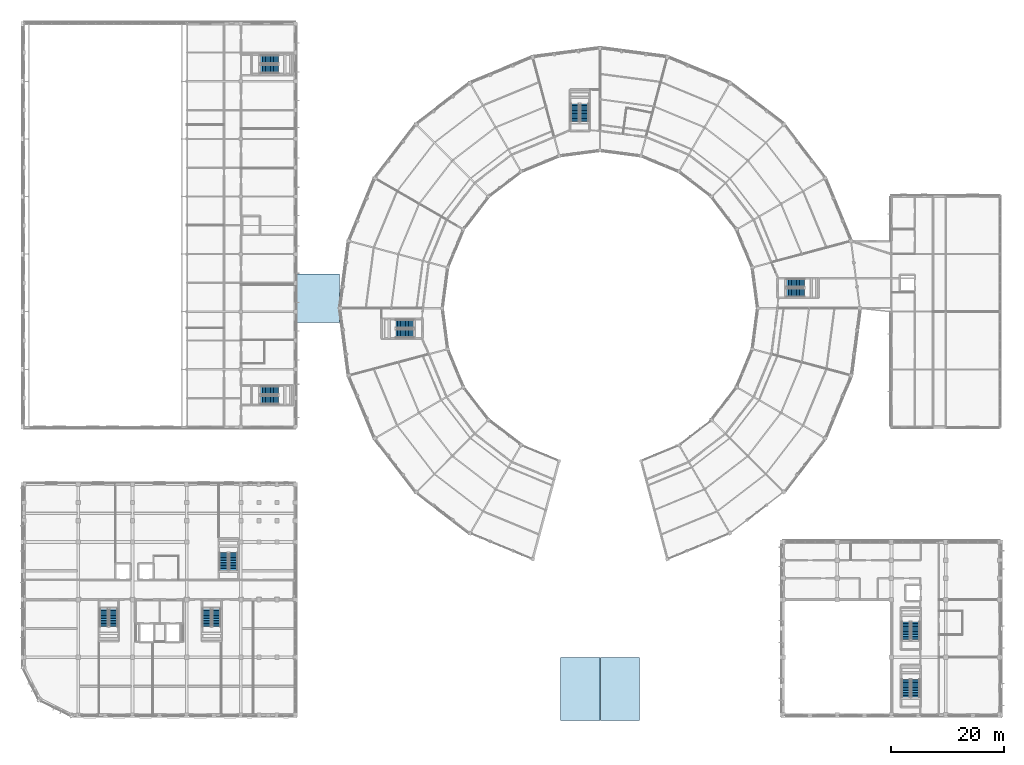
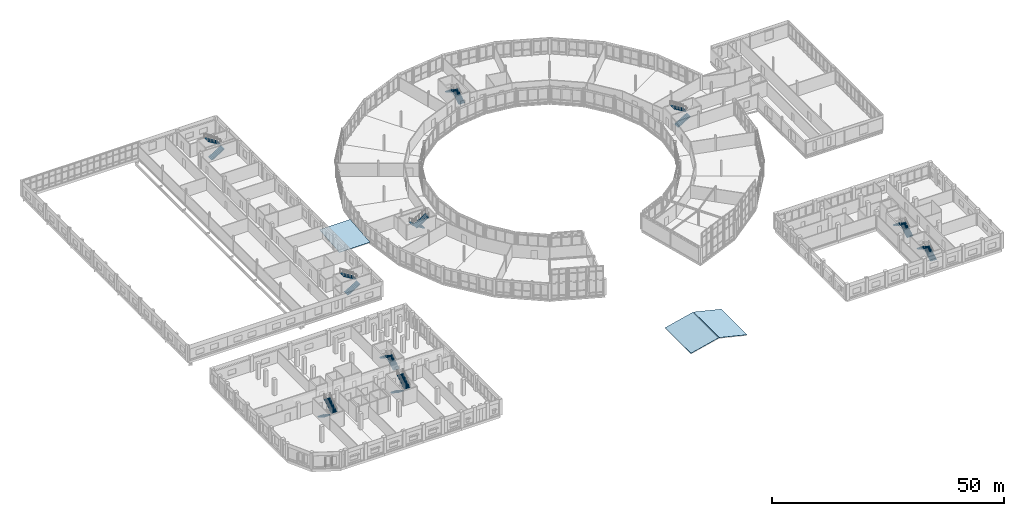
# One storey, part 150 of 170: 20 stair flights, 3 roofs, 10 elements without a shape of their own.
"""IFC4 building model written with IfcOpenShell, lengths in metres."""

from ifc_helpers import new_model, si_unit, direction, frame, origin, place, context, subcontext, project, spatial, polyline, outline, extrude, material, layer, layer_set, type_object, element, aggregate, save


model = new_model("IFC4")

# Units and contexts
model_context = context("Model", 3, precision=1e-05, world=origin(), true_north=direction((0.0, 1.0)))
body_context = subcontext(model_context, "Body", "Model", "MODEL_VIEW")
ifc_project = project(units=[si_unit("LENGTHUNIT", "METRE"), si_unit("AREAUNIT", "SQUARE_METRE"), si_unit("VOLUMEUNIT", "CUBIC_METRE"), si_unit("PLANEANGLEUNIT", "RADIAN"), si_unit("MASSUNIT", "GRAM", prefix="KILO")], contexts=[model_context])

# Site, building, storey
site_placement = place(None, origin())
site = spatial("IfcSite", under=ifc_project, at=site_placement, CompositionType="ELEMENT")
building_placement = place(site_placement, origin())
building = spatial("IfcBuilding", under=site, at=building_placement, Name="Vondelvale Polytechnic", CompositionType="ELEMENT")
storey_placement = place(building_placement, frame((0.0, 0.0, 5.39990234375)))
storey = spatial("IfcBuildingStorey", under=building, at=storey_placement, Name="L01", CompositionType="ELEMENT", Elevation=5.39990234375)

# Stair, stair flights
ifc_material_1 = material(Name="Concrete N40 (f'c = 40 MPa)", Category="concrete")
stair_type = type_object("IfcStairType", Name="STR-DOG-1500", PredefinedType="HALF_TURN_STAIR", material=ifc_material_1)
stair_1_placement = place(storey_placement, origin())
stair_1 = element("IfcStair", 1, at=stair_1_placement, inside=storey, type_object=stair_type, Name="L01 ST-01", PredefinedType="HALF_TURN_STAIR")
stair_flight_type = type_object("IfcStairFlightType", Name="STF-DOG-1500", PredefinedType="STRAIGHT", material=ifc_material_1)
stair_flight_1_placement = place(storey_placement, frame((41.89990234375, 55.75, 0.0), z_axis=(0.0, 0.0, 1.0), x_axis=(1.0, 0.0, 0.0)))
stair_flight_1 = element("IfcStairFlight", 2, at=stair_flight_1_placement, type_object=stair_flight_type, Name="ST-01 flight 1", NumberOfRisers=12, NumberOfTreads=11, PredefinedType="STRAIGHT", RiserHeight=0.175, TreadLength=0.285, context=body_context, shape_type="SweptSolid", body=[
    extrude(outline(polyline([(0.0, 0.0), (0.0, 0.175048828125), (0.284912109375, 0.175048828125), (0.284912109375, 0.35009765625), (0.570068359375, 0.35009765625), (0.570068359375, 0.52490234375), (0.85498046875, 0.52490234375), (0.85498046875, 0.699951171875), (1.139892578125, 0.699951171875), (1.139892578125, 0.875), (1.425048828125, 0.875), (1.425048828125, 1.050048828125), (1.7099609375, 1.050048828125), (1.7099609375, 1.22509765625), (1.9951171875, 1.22509765625), (1.9951171875, 1.39990234375), (2.280029296875, 1.39990234375), (2.280029296875, 1.574951171875), (2.56494140625, 1.574951171875), (2.56494140625, 1.75), (2.85009765625, 1.75), (2.85009765625, 1.925048828125), (3.135009765625, 1.925048828125), (3.135009765625, 2.10009765625), (3.135009765625, 1.7373046875), (0.3056640625, 0.0), (0.0, 0.0)])), frame((0.0, 0.75, 0.0), z_axis=(0.0, -1.0, 0.0), x_axis=(1.0, 0.0, 0.0)), (0.0, 0.0, 1.0), 1.5),
])
stair_flight_2_placement = place(storey_placement, frame((45.034912109375, 57.449951171875, 2.10009765625), z_axis=(0.0, 0.0, 1.0), x_axis=(-1.0, 0.0, 0.0)))
stair_flight_2 = element("IfcStairFlight", 3, at=stair_flight_2_placement, type_object=stair_flight_type, Name="ST-01 flight 2", NumberOfRisers=12, NumberOfTreads=11, PredefinedType="STRAIGHT", RiserHeight=0.175, TreadLength=0.285, context=body_context, shape_type="SweptSolid", body=[
    extrude(outline(polyline([(0.0, 0.0), (0.0, 0.175048828125), (0.284912109375, 0.175048828125), (0.284912109375, 0.35009765625), (0.570068359375, 0.35009765625), (0.570068359375, 0.52490234375), (0.85498046875, 0.52490234375), (0.85498046875, 0.699951171875), (1.139892578125, 0.699951171875), (1.139892578125, 0.875), (1.425048828125, 0.875), (1.425048828125, 1.050048828125), (1.7099609375, 1.050048828125), (1.7099609375, 1.22509765625), (1.9951171875, 1.22509765625), (1.9951171875, 1.39990234375), (2.280029296875, 1.39990234375), (2.280029296875, 1.574951171875), (2.56494140625, 1.574951171875), (2.56494140625, 1.75), (2.85009765625, 1.75), (2.85009765625, 1.925048828125), (3.135009765625, 1.925048828125), (3.135009765625, 2.10009765625), (3.135009765625, 1.7373046875), (0.3056640625, 0.0), (0.0, 0.0)])), frame((0.0, 0.75, 0.0), z_axis=(0.0, -1.0, 0.0), x_axis=(1.0, 0.0, 0.0)), (0.0, 0.0, 1.0), 1.5),
])
aggregate(stair_1, [stair_flight_1, stair_flight_2])

stair_2_placement = place(storey_placement, origin())
stair_2 = element("IfcStair", 4, at=stair_2_placement, inside=storey, type_object=stair_type, Name="L01 ST-02", PredefinedType="HALF_TURN_STAIR")
stair_flight_3_placement = place(storey_placement, frame((41.89990234375, 114.35009765625, 0.0), z_axis=(0.0, 0.0, 1.0), x_axis=(1.0, 0.0, 0.0)))
stair_flight_3 = element("IfcStairFlight", 5, at=stair_flight_3_placement, type_object=stair_flight_type, Name="ST-02 flight 1", NumberOfRisers=12, NumberOfTreads=11, PredefinedType="STRAIGHT", RiserHeight=0.175, TreadLength=0.285, context=body_context, shape_type="SweptSolid", body=[
    extrude(outline(polyline([(0.0, 0.0), (0.0, 0.175048828125), (0.284912109375, 0.175048828125), (0.284912109375, 0.35009765625), (0.570068359375, 0.35009765625), (0.570068359375, 0.52490234375), (0.85498046875, 0.52490234375), (0.85498046875, 0.699951171875), (1.139892578125, 0.699951171875), (1.139892578125, 0.875), (1.425048828125, 0.875), (1.425048828125, 1.050048828125), (1.7099609375, 1.050048828125), (1.7099609375, 1.22509765625), (1.9951171875, 1.22509765625), (1.9951171875, 1.39990234375), (2.280029296875, 1.39990234375), (2.280029296875, 1.574951171875), (2.56494140625, 1.574951171875), (2.56494140625, 1.75), (2.85009765625, 1.75), (2.85009765625, 1.925048828125), (3.135009765625, 1.925048828125), (3.135009765625, 2.10009765625), (3.135009765625, 1.7373046875), (0.3056640625, 0.0), (0.0, 0.0)])), frame((0.0, 0.75, 0.0), z_axis=(0.0, -1.0, 0.0), x_axis=(1.0, 0.0, 0.0)), (0.0, 0.0, 1.0), 1.5),
])
stair_flight_4_placement = place(storey_placement, frame((45.034912109375, 116.050048828125, 2.10009765625), z_axis=(0.0, 0.0, 1.0), x_axis=(-1.0, 0.0, 0.0)))
stair_flight_4 = element("IfcStairFlight", 6, at=stair_flight_4_placement, type_object=stair_flight_type, Name="ST-02 flight 2", NumberOfRisers=12, NumberOfTreads=11, PredefinedType="STRAIGHT", RiserHeight=0.175, TreadLength=0.285, context=body_context, shape_type="SweptSolid", body=[
    extrude(outline(polyline([(0.0, 0.0), (0.0, 0.175048828125), (0.284912109375, 0.175048828125), (0.284912109375, 0.35009765625), (0.570068359375, 0.35009765625), (0.570068359375, 0.52490234375), (0.85498046875, 0.52490234375), (0.85498046875, 0.699951171875), (1.139892578125, 0.699951171875), (1.139892578125, 0.875), (1.425048828125, 0.875), (1.425048828125, 1.050048828125), (1.7099609375, 1.050048828125), (1.7099609375, 1.22509765625), (1.9951171875, 1.22509765625), (1.9951171875, 1.39990234375), (2.280029296875, 1.39990234375), (2.280029296875, 1.574951171875), (2.56494140625, 1.574951171875), (2.56494140625, 1.75), (2.85009765625, 1.75), (2.85009765625, 1.925048828125), (3.135009765625, 1.925048828125), (3.135009765625, 2.10009765625), (3.135009765625, 1.7373046875), (0.3056640625, 0.0), (0.0, 0.0)])), frame((0.0, 0.75, 0.0), z_axis=(0.0, -1.0, 0.0), x_axis=(1.0, 0.0, 0.0)), (0.0, 0.0, 1.0), 1.5),
])
aggregate(stair_2, [stair_flight_3, stair_flight_4])

stair_3_placement = place(storey_placement, origin())
stair_3 = element("IfcStair", 7, at=stair_3_placement, inside=storey, type_object=stair_type, Name="L01 ST-03", PredefinedType="HALF_TURN_STAIR")
stair_flight_5_placement = place(storey_placement, frame((14.14990234375, 18.75, 0.0), z_axis=(0.0, 0.0, 1.0), x_axis=(0.0, -1.0, 0.0)))
stair_flight_5 = element("IfcStairFlight", 8, at=stair_flight_5_placement, type_object=stair_flight_type, Name="ST-03 flight 1", NumberOfRisers=12, NumberOfTreads=11, PredefinedType="STRAIGHT", RiserHeight=0.175, TreadLength=0.285, context=body_context, shape_type="SweptSolid", body=[
    extrude(outline(polyline([(0.0, 0.0), (0.0, 0.175048828125), (0.284912109375, 0.175048828125), (0.284912109375, 0.35009765625), (0.570068359375, 0.35009765625), (0.570068359375, 0.52490234375), (0.85498046875, 0.52490234375), (0.85498046875, 0.699951171875), (1.139892578125, 0.699951171875), (1.139892578125, 0.875), (1.425048828125, 0.875), (1.425048828125, 1.050048828125), (1.7099609375, 1.050048828125), (1.7099609375, 1.22509765625), (1.9951171875, 1.22509765625), (1.9951171875, 1.39990234375), (2.280029296875, 1.39990234375), (2.280029296875, 1.574951171875), (2.56494140625, 1.574951171875), (2.56494140625, 1.75), (2.85009765625, 1.75), (2.85009765625, 1.925048828125), (3.135009765625, 1.925048828125), (3.135009765625, 2.10009765625), (3.135009765625, 1.7373046875), (0.3056640625, 0.0), (0.0, 0.0)])), frame((0.0, 0.75, 0.0), z_axis=(0.0, -1.0, 0.0), x_axis=(1.0, 0.0, 0.0)), (0.0, 0.0, 1.0), 1.5),
])
stair_flight_6_placement = place(storey_placement, frame((15.85009765625, 15.614990234375, 2.10009765625), z_axis=(0.0, 0.0, 1.0), x_axis=(0.0, 1.0, 0.0)))
stair_flight_6 = element("IfcStairFlight", 9, at=stair_flight_6_placement, type_object=stair_flight_type, Name="ST-03 flight 2", NumberOfRisers=12, NumberOfTreads=11, PredefinedType="STRAIGHT", RiserHeight=0.175, TreadLength=0.285, context=body_context, shape_type="SweptSolid", body=[
    extrude(outline(polyline([(0.0, 0.0), (0.0, 0.175048828125), (0.284912109375, 0.175048828125), (0.284912109375, 0.35009765625), (0.570068359375, 0.35009765625), (0.570068359375, 0.52490234375), (0.85498046875, 0.52490234375), (0.85498046875, 0.699951171875), (1.139892578125, 0.699951171875), (1.139892578125, 0.875), (1.425048828125, 0.875), (1.425048828125, 1.050048828125), (1.7099609375, 1.050048828125), (1.7099609375, 1.22509765625), (1.9951171875, 1.22509765625), (1.9951171875, 1.39990234375), (2.280029296875, 1.39990234375), (2.280029296875, 1.574951171875), (2.56494140625, 1.574951171875), (2.56494140625, 1.75), (2.85009765625, 1.75), (2.85009765625, 1.925048828125), (3.135009765625, 1.925048828125), (3.135009765625, 2.10009765625), (3.135009765625, 1.7373046875), (0.3056640625, 0.0), (0.0, 0.0)])), frame((0.0, 0.75, 0.0), z_axis=(0.0, -1.0, 0.0), x_axis=(1.0, 0.0, 0.0)), (0.0, 0.0, 1.0), 1.5),
])
aggregate(stair_3, [stair_flight_5, stair_flight_6])

stair_4_placement = place(storey_placement, origin())
stair_4 = element("IfcStair", 10, at=stair_4_placement, inside=storey, type_object=stair_type, Name="L01 ST-04", PredefinedType="HALF_TURN_STAIR")
stair_flight_7_placement = place(storey_placement, frame((32.35009765625, 18.75, 0.0), z_axis=(0.0, 0.0, 1.0), x_axis=(0.0, -1.0, 0.0)))
stair_flight_7 = element("IfcStairFlight", 11, at=stair_flight_7_placement, type_object=stair_flight_type, Name="ST-04 flight 1", NumberOfRisers=12, NumberOfTreads=11, PredefinedType="STRAIGHT", RiserHeight=0.175, TreadLength=0.285, context=body_context, shape_type="SweptSolid", body=[
    extrude(outline(polyline([(0.0, 0.0), (0.0, 0.175048828125), (0.284912109375, 0.175048828125), (0.284912109375, 0.35009765625), (0.570068359375, 0.35009765625), (0.570068359375, 0.52490234375), (0.85498046875, 0.52490234375), (0.85498046875, 0.699951171875), (1.139892578125, 0.699951171875), (1.139892578125, 0.875), (1.425048828125, 0.875), (1.425048828125, 1.050048828125), (1.7099609375, 1.050048828125), (1.7099609375, 1.22509765625), (1.9951171875, 1.22509765625), (1.9951171875, 1.39990234375), (2.280029296875, 1.39990234375), (2.280029296875, 1.574951171875), (2.56494140625, 1.574951171875), (2.56494140625, 1.75), (2.85009765625, 1.75), (2.85009765625, 1.925048828125), (3.135009765625, 1.925048828125), (3.135009765625, 2.10009765625), (3.135009765625, 1.7373046875), (0.3056640625, 0.0), (0.0, 0.0)])), frame((0.0, 0.75, 0.0), z_axis=(0.0, -1.0, 0.0), x_axis=(1.0, 0.0, 0.0)), (0.0, 0.0, 1.0), 1.5),
])
stair_flight_8_placement = place(storey_placement, frame((34.050048828125, 15.614990234375, 2.10009765625), z_axis=(0.0, 0.0, 1.0), x_axis=(0.0, 1.0, 0.0)))
stair_flight_8 = element("IfcStairFlight", 12, at=stair_flight_8_placement, type_object=stair_flight_type, Name="ST-04 flight 2", NumberOfRisers=12, NumberOfTreads=11, PredefinedType="STRAIGHT", RiserHeight=0.175, TreadLength=0.285, context=body_context, shape_type="SweptSolid", body=[
    extrude(outline(polyline([(0.0, 0.0), (0.0, 0.175048828125), (0.284912109375, 0.175048828125), (0.284912109375, 0.35009765625), (0.570068359375, 0.35009765625), (0.570068359375, 0.52490234375), (0.85498046875, 0.52490234375), (0.85498046875, 0.699951171875), (1.139892578125, 0.699951171875), (1.139892578125, 0.875), (1.425048828125, 0.875), (1.425048828125, 1.050048828125), (1.7099609375, 1.050048828125), (1.7099609375, 1.22509765625), (1.9951171875, 1.22509765625), (1.9951171875, 1.39990234375), (2.280029296875, 1.39990234375), (2.280029296875, 1.574951171875), (2.56494140625, 1.574951171875), (2.56494140625, 1.75), (2.85009765625, 1.75), (2.85009765625, 1.925048828125), (3.135009765625, 1.925048828125), (3.135009765625, 2.10009765625), (3.135009765625, 1.7373046875), (0.3056640625, 0.0), (0.0, 0.0)])), frame((0.0, 0.75, 0.0), z_axis=(0.0, -1.0, 0.0), x_axis=(1.0, 0.0, 0.0)), (0.0, 0.0, 1.0), 1.5),
])
aggregate(stair_4, [stair_flight_7, stair_flight_8])

stair_5_placement = place(storey_placement, origin())
stair_5 = element("IfcStair", 13, at=stair_5_placement, inside=storey, type_object=stair_type, Name="L01 ST-05", PredefinedType="HALF_TURN_STAIR")
stair_flight_9_placement = place(storey_placement, frame((37.050048828125, 25.60009765625, 0.0), z_axis=(0.0, 0.0, 1.0), x_axis=(0.0, 1.0, 0.0)))
stair_flight_9 = element("IfcStairFlight", 14, at=stair_flight_9_placement, type_object=stair_flight_type, Name="ST-05 flight 1", NumberOfRisers=12, NumberOfTreads=11, PredefinedType="STRAIGHT", RiserHeight=0.175, TreadLength=0.285, context=body_context, shape_type="SweptSolid", body=[
    extrude(outline(polyline([(0.0, 0.0), (0.0, 0.175048828125), (0.284912109375, 0.175048828125), (0.284912109375, 0.35009765625), (0.570068359375, 0.35009765625), (0.570068359375, 0.52490234375), (0.85498046875, 0.52490234375), (0.85498046875, 0.699951171875), (1.139892578125, 0.699951171875), (1.139892578125, 0.875), (1.425048828125, 0.875), (1.425048828125, 1.050048828125), (1.7099609375, 1.050048828125), (1.7099609375, 1.22509765625), (1.9951171875, 1.22509765625), (1.9951171875, 1.39990234375), (2.280029296875, 1.39990234375), (2.280029296875, 1.574951171875), (2.56494140625, 1.574951171875), (2.56494140625, 1.75), (2.85009765625, 1.75), (2.85009765625, 1.925048828125), (3.135009765625, 1.925048828125), (3.135009765625, 2.10009765625), (3.135009765625, 1.7373046875), (0.3056640625, 0.0), (0.0, 0.0)])), frame((0.0, 0.75, 0.0), z_axis=(0.0, -1.0, 0.0), x_axis=(1.0, 0.0, 0.0)), (0.0, 0.0, 1.0), 1.5),
])
stair_flight_10_placement = place(storey_placement, frame((35.35009765625, 28.735107421875, 2.10009765625), z_axis=(0.0, 0.0, 1.0), x_axis=(0.0, -1.0, 0.0)))
stair_flight_10 = element("IfcStairFlight", 15, at=stair_flight_10_placement, type_object=stair_flight_type, Name="ST-05 flight 2", NumberOfRisers=12, NumberOfTreads=11, PredefinedType="STRAIGHT", RiserHeight=0.175, TreadLength=0.285, context=body_context, shape_type="SweptSolid", body=[
    extrude(outline(polyline([(0.0, 0.0), (0.0, 0.175048828125), (0.284912109375, 0.175048828125), (0.284912109375, 0.35009765625), (0.570068359375, 0.35009765625), (0.570068359375, 0.52490234375), (0.85498046875, 0.52490234375), (0.85498046875, 0.699951171875), (1.139892578125, 0.699951171875), (1.139892578125, 0.875), (1.425048828125, 0.875), (1.425048828125, 1.050048828125), (1.7099609375, 1.050048828125), (1.7099609375, 1.22509765625), (1.9951171875, 1.22509765625), (1.9951171875, 1.39990234375), (2.280029296875, 1.39990234375), (2.280029296875, 1.574951171875), (2.56494140625, 1.574951171875), (2.56494140625, 1.75), (2.85009765625, 1.75), (2.85009765625, 1.925048828125), (3.135009765625, 1.925048828125), (3.135009765625, 2.10009765625), (3.135009765625, 1.7373046875), (0.3056640625, 0.0), (0.0, 0.0)])), frame((0.0, 0.75, 0.0), z_axis=(0.0, -1.0, 0.0), x_axis=(1.0, 0.0, 0.0)), (0.0, 0.0, 1.0), 1.5),
])
aggregate(stair_5, [stair_flight_9, stair_flight_10])

stair_6_placement = place(storey_placement, origin())
stair_6 = element("IfcStair", 16, at=stair_6_placement, inside=storey, type_object=stair_type, Name="L01 ST-06", PredefinedType="HALF_TURN_STAIR")
stair_flight_11_placement = place(storey_placement, frame((157.85009765625, 3.14990234375, 0.0), z_axis=(0.0, 0.0, 1.0), x_axis=(0.0, 1.0, 0.0)))
stair_flight_11 = element("IfcStairFlight", 17, at=stair_flight_11_placement, type_object=stair_flight_type, Name="ST-06 flight 1", NumberOfRisers=12, NumberOfTreads=11, PredefinedType="STRAIGHT", RiserHeight=0.175, TreadLength=0.285, context=body_context, shape_type="SweptSolid", body=[
    extrude(outline(polyline([(0.0, 0.0), (0.0, 0.175048828125), (0.284912109375, 0.175048828125), (0.284912109375, 0.35009765625), (0.570068359375, 0.35009765625), (0.570068359375, 0.52490234375), (0.85498046875, 0.52490234375), (0.85498046875, 0.699951171875), (1.139892578125, 0.699951171875), (1.139892578125, 0.875), (1.425048828125, 0.875), (1.425048828125, 1.050048828125), (1.7099609375, 1.050048828125), (1.7099609375, 1.22509765625), (1.9951171875, 1.22509765625), (1.9951171875, 1.39990234375), (2.280029296875, 1.39990234375), (2.280029296875, 1.574951171875), (2.56494140625, 1.574951171875), (2.56494140625, 1.75), (2.85009765625, 1.75), (2.85009765625, 1.925048828125), (3.135009765625, 1.925048828125), (3.135009765625, 2.10009765625), (3.135009765625, 1.7373046875), (0.3056640625, 0.0), (0.0, 0.0)])), frame((0.0, 0.75, 0.0), z_axis=(0.0, -1.0, 0.0), x_axis=(1.0, 0.0, 0.0)), (0.0, 0.0, 1.0), 1.5),
])
stair_flight_12_placement = place(storey_placement, frame((156.14990234375, 6.284912109375, 2.10009765625), z_axis=(0.0, 0.0, 1.0), x_axis=(0.0, -1.0, 0.0)))
stair_flight_12 = element("IfcStairFlight", 18, at=stair_flight_12_placement, type_object=stair_flight_type, Name="ST-06 flight 2", NumberOfRisers=12, NumberOfTreads=11, PredefinedType="STRAIGHT", RiserHeight=0.175, TreadLength=0.285, context=body_context, shape_type="SweptSolid", body=[
    extrude(outline(polyline([(0.0, 0.0), (0.0, 0.175048828125), (0.284912109375, 0.175048828125), (0.284912109375, 0.35009765625), (0.570068359375, 0.35009765625), (0.570068359375, 0.52490234375), (0.85498046875, 0.52490234375), (0.85498046875, 0.699951171875), (1.139892578125, 0.699951171875), (1.139892578125, 0.875), (1.425048828125, 0.875), (1.425048828125, 1.050048828125), (1.7099609375, 1.050048828125), (1.7099609375, 1.22509765625), (1.9951171875, 1.22509765625), (1.9951171875, 1.39990234375), (2.280029296875, 1.39990234375), (2.280029296875, 1.574951171875), (2.56494140625, 1.574951171875), (2.56494140625, 1.75), (2.85009765625, 1.75), (2.85009765625, 1.925048828125), (3.135009765625, 1.925048828125), (3.135009765625, 2.10009765625), (3.135009765625, 1.7373046875), (0.3056640625, 0.0), (0.0, 0.0)])), frame((0.0, 0.75, 0.0), z_axis=(0.0, -1.0, 0.0), x_axis=(1.0, 0.0, 0.0)), (0.0, 0.0, 1.0), 1.5),
])
aggregate(stair_6, [stair_flight_11, stair_flight_12])

stair_7_placement = place(storey_placement, origin())
stair_7 = element("IfcStair", 19, at=stair_7_placement, inside=storey, type_object=stair_type, Name="L01 ST-07", PredefinedType="HALF_TURN_STAIR")
stair_flight_13_placement = place(storey_placement, frame((157.85009765625, 13.35009765625, 0.0), z_axis=(0.0, 0.0, 1.0), x_axis=(0.0, 1.0, 0.0)))
stair_flight_13 = element("IfcStairFlight", 20, at=stair_flight_13_placement, type_object=stair_flight_type, Name="ST-07 flight 1", NumberOfRisers=12, NumberOfTreads=11, PredefinedType="STRAIGHT", RiserHeight=0.175, TreadLength=0.285, context=body_context, shape_type="SweptSolid", body=[
    extrude(outline(polyline([(0.0, 0.0), (0.0, 0.175048828125), (0.284912109375, 0.175048828125), (0.284912109375, 0.35009765625), (0.570068359375, 0.35009765625), (0.570068359375, 0.52490234375), (0.85498046875, 0.52490234375), (0.85498046875, 0.699951171875), (1.139892578125, 0.699951171875), (1.139892578125, 0.875), (1.425048828125, 0.875), (1.425048828125, 1.050048828125), (1.7099609375, 1.050048828125), (1.7099609375, 1.22509765625), (1.9951171875, 1.22509765625), (1.9951171875, 1.39990234375), (2.280029296875, 1.39990234375), (2.280029296875, 1.574951171875), (2.56494140625, 1.574951171875), (2.56494140625, 1.75), (2.85009765625, 1.75), (2.85009765625, 1.925048828125), (3.135009765625, 1.925048828125), (3.135009765625, 2.10009765625), (3.135009765625, 1.7373046875), (0.3056640625, 0.0), (0.0, 0.0)])), frame((0.0, 0.75, 0.0), z_axis=(0.0, -1.0, 0.0), x_axis=(1.0, 0.0, 0.0)), (0.0, 0.0, 1.0), 1.5),
])
stair_flight_14_placement = place(storey_placement, frame((156.14990234375, 16.485107421875, 2.10009765625), z_axis=(0.0, 0.0, 1.0), x_axis=(0.0, -1.0, 0.0)))
stair_flight_14 = element("IfcStairFlight", 21, at=stair_flight_14_placement, type_object=stair_flight_type, Name="ST-07 flight 2", NumberOfRisers=12, NumberOfTreads=11, PredefinedType="STRAIGHT", RiserHeight=0.175, TreadLength=0.285, context=body_context, shape_type="SweptSolid", body=[
    extrude(outline(polyline([(0.0, 0.0), (0.0, 0.175048828125), (0.284912109375, 0.175048828125), (0.284912109375, 0.35009765625), (0.570068359375, 0.35009765625), (0.570068359375, 0.52490234375), (0.85498046875, 0.52490234375), (0.85498046875, 0.699951171875), (1.139892578125, 0.699951171875), (1.139892578125, 0.875), (1.425048828125, 0.875), (1.425048828125, 1.050048828125), (1.7099609375, 1.050048828125), (1.7099609375, 1.22509765625), (1.9951171875, 1.22509765625), (1.9951171875, 1.39990234375), (2.280029296875, 1.39990234375), (2.280029296875, 1.574951171875), (2.56494140625, 1.574951171875), (2.56494140625, 1.75), (2.85009765625, 1.75), (2.85009765625, 1.925048828125), (3.135009765625, 1.925048828125), (3.135009765625, 2.10009765625), (3.135009765625, 1.7373046875), (0.3056640625, 0.0), (0.0, 0.0)])), frame((0.0, 0.75, 0.0), z_axis=(0.0, -1.0, 0.0), x_axis=(1.0, 0.0, 0.0)), (0.0, 0.0, 1.0), 1.5),
])
aggregate(stair_7, [stair_flight_13, stair_flight_14])

stair_8_placement = place(storey_placement, origin())
stair_8 = element("IfcStair", 22, at=stair_8_placement, inside=storey, type_object=stair_type, Name="L01 ST-08", PredefinedType="HALF_TURN_STAIR")
stair_flight_15_placement = place(storey_placement, frame((135.050048828125, 74.75, 0.0), z_axis=(0.0, 0.0, 1.0), x_axis=(1.0, 0.0, 0.0)))
stair_flight_15 = element("IfcStairFlight", 23, at=stair_flight_15_placement, type_object=stair_flight_type, Name="ST-08 flight 1", NumberOfRisers=12, NumberOfTreads=11, PredefinedType="STRAIGHT", RiserHeight=0.175, TreadLength=0.285, context=body_context, shape_type="SweptSolid", body=[
    extrude(outline(polyline([(0.0, 0.0), (0.0, 0.175048828125), (0.284912109375, 0.175048828125), (0.284912109375, 0.35009765625), (0.570068359375, 0.35009765625), (0.570068359375, 0.52490234375), (0.85498046875, 0.52490234375), (0.85498046875, 0.699951171875), (1.139892578125, 0.699951171875), (1.139892578125, 0.875), (1.425048828125, 0.875), (1.425048828125, 1.050048828125), (1.7099609375, 1.050048828125), (1.7099609375, 1.22509765625), (1.9951171875, 1.22509765625), (1.9951171875, 1.39990234375), (2.280029296875, 1.39990234375), (2.280029296875, 1.574951171875), (2.56494140625, 1.574951171875), (2.56494140625, 1.75), (2.85009765625, 1.75), (2.85009765625, 1.925048828125), (3.135009765625, 1.925048828125), (3.135009765625, 2.10009765625), (3.135009765625, 1.7373046875), (0.3056640625, 0.0), (0.0, 0.0)])), frame((0.0, 0.75, 0.0), z_axis=(0.0, -1.0, 0.0), x_axis=(1.0, 0.0, 0.0)), (0.0, 0.0, 1.0), 1.5),
])
stair_flight_16_placement = place(storey_placement, frame((138.18505859375, 76.449951171875, 2.10009765625), z_axis=(0.0, 0.0, 1.0), x_axis=(-1.0, 0.0, 0.0)))
stair_flight_16 = element("IfcStairFlight", 24, at=stair_flight_16_placement, type_object=stair_flight_type, Name="ST-08 flight 2", NumberOfRisers=12, NumberOfTreads=11, PredefinedType="STRAIGHT", RiserHeight=0.175, TreadLength=0.285, context=body_context, shape_type="SweptSolid", body=[
    extrude(outline(polyline([(0.0, 0.0), (0.0, 0.175048828125), (0.284912109375, 0.175048828125), (0.284912109375, 0.35009765625), (0.570068359375, 0.35009765625), (0.570068359375, 0.52490234375), (0.85498046875, 0.52490234375), (0.85498046875, 0.699951171875), (1.139892578125, 0.699951171875), (1.139892578125, 0.875), (1.425048828125, 0.875), (1.425048828125, 1.050048828125), (1.7099609375, 1.050048828125), (1.7099609375, 1.22509765625), (1.9951171875, 1.22509765625), (1.9951171875, 1.39990234375), (2.280029296875, 1.39990234375), (2.280029296875, 1.574951171875), (2.56494140625, 1.574951171875), (2.56494140625, 1.75), (2.85009765625, 1.75), (2.85009765625, 1.925048828125), (3.135009765625, 1.925048828125), (3.135009765625, 2.10009765625), (3.135009765625, 1.7373046875), (0.3056640625, 0.0), (0.0, 0.0)])), frame((0.0, 0.75, 0.0), z_axis=(0.0, -1.0, 0.0), x_axis=(1.0, 0.0, 0.0)), (0.0, 0.0, 1.0), 1.5),
])
aggregate(stair_8, [stair_flight_15, stair_flight_16])

stair_9_placement = place(storey_placement, origin())
stair_9 = element("IfcStair", 25, at=stair_9_placement, inside=storey, type_object=stair_type, Name="L01 ST-09", PredefinedType="HALF_TURN_STAIR")
stair_flight_17_placement = place(storey_placement, frame((99.25, 105.050048828125, 0.0), z_axis=(0.0, 0.0, 1.0), x_axis=(0.0, 1.0, 0.0)))
stair_flight_17 = element("IfcStairFlight", 26, at=stair_flight_17_placement, type_object=stair_flight_type, Name="ST-09 flight 1", NumberOfRisers=12, NumberOfTreads=11, PredefinedType="STRAIGHT", RiserHeight=0.175, TreadLength=0.285, context=body_context, shape_type="SweptSolid", body=[
    extrude(outline(polyline([(0.0, 0.0), (0.0, 0.175048828125), (0.284912109375, 0.175048828125), (0.284912109375, 0.35009765625), (0.570068359375, 0.35009765625), (0.570068359375, 0.52490234375), (0.85498046875, 0.52490234375), (0.85498046875, 0.699951171875), (1.139892578125, 0.699951171875), (1.139892578125, 0.875), (1.425048828125, 0.875), (1.425048828125, 1.050048828125), (1.7099609375, 1.050048828125), (1.7099609375, 1.22509765625), (1.9951171875, 1.22509765625), (1.9951171875, 1.39990234375), (2.280029296875, 1.39990234375), (2.280029296875, 1.574951171875), (2.56494140625, 1.574951171875), (2.56494140625, 1.75), (2.85009765625, 1.75), (2.85009765625, 1.925048828125), (3.135009765625, 1.925048828125), (3.135009765625, 2.10009765625), (3.135009765625, 1.7373046875), (0.3056640625, 0.0), (0.0, 0.0)])), frame((0.0, 0.75, 0.0), z_axis=(0.0, -1.0, 0.0), x_axis=(1.0, 0.0, 0.0)), (0.0, 0.0, 1.0), 1.5),
])
stair_flight_18_placement = place(storey_placement, frame((97.550048828125, 108.18505859375, 2.10009765625), z_axis=(0.0, 0.0, 1.0), x_axis=(0.0, -1.0, 0.0)))
stair_flight_18 = element("IfcStairFlight", 27, at=stair_flight_18_placement, type_object=stair_flight_type, Name="ST-09 flight 2", NumberOfRisers=12, NumberOfTreads=11, PredefinedType="STRAIGHT", RiserHeight=0.175, TreadLength=0.285, context=body_context, shape_type="SweptSolid", body=[
    extrude(outline(polyline([(0.0, 0.0), (0.0, 0.175048828125), (0.284912109375, 0.175048828125), (0.284912109375, 0.35009765625), (0.570068359375, 0.35009765625), (0.570068359375, 0.52490234375), (0.85498046875, 0.52490234375), (0.85498046875, 0.699951171875), (1.139892578125, 0.699951171875), (1.139892578125, 0.875), (1.425048828125, 0.875), (1.425048828125, 1.050048828125), (1.7099609375, 1.050048828125), (1.7099609375, 1.22509765625), (1.9951171875, 1.22509765625), (1.9951171875, 1.39990234375), (2.280029296875, 1.39990234375), (2.280029296875, 1.574951171875), (2.56494140625, 1.574951171875), (2.56494140625, 1.75), (2.85009765625, 1.75), (2.85009765625, 1.925048828125), (3.135009765625, 1.925048828125), (3.135009765625, 2.10009765625), (3.135009765625, 1.7373046875), (0.3056640625, 0.0), (0.0, 0.0)])), frame((0.0, 0.75, 0.0), z_axis=(0.0, -1.0, 0.0), x_axis=(1.0, 0.0, 0.0)), (0.0, 0.0, 1.0), 1.5),
])
aggregate(stair_9, [stair_flight_17, stair_flight_18])

stair_10_placement = place(storey_placement, origin())
stair_10 = element("IfcStair", 28, at=stair_10_placement, inside=storey, type_object=stair_type, Name="L01 ST-10", PredefinedType="HALF_TURN_STAIR")
stair_flight_19_placement = place(storey_placement, frame((68.949951171875, 69.25, 0.0), z_axis=(0.0, 0.0, 1.0), x_axis=(-1.0, 0.0, 0.0)))
stair_flight_19 = element("IfcStairFlight", 29, at=stair_flight_19_placement, type_object=stair_flight_type, Name="ST-10 flight 1", NumberOfRisers=12, NumberOfTreads=11, PredefinedType="STRAIGHT", RiserHeight=0.175, TreadLength=0.285, context=body_context, shape_type="SweptSolid", body=[
    extrude(outline(polyline([(0.0, 0.0), (0.0, 0.175048828125), (0.284912109375, 0.175048828125), (0.284912109375, 0.35009765625), (0.570068359375, 0.35009765625), (0.570068359375, 0.52490234375), (0.85498046875, 0.52490234375), (0.85498046875, 0.699951171875), (1.139892578125, 0.699951171875), (1.139892578125, 0.875), (1.425048828125, 0.875), (1.425048828125, 1.050048828125), (1.7099609375, 1.050048828125), (1.7099609375, 1.22509765625), (1.9951171875, 1.22509765625), (1.9951171875, 1.39990234375), (2.280029296875, 1.39990234375), (2.280029296875, 1.574951171875), (2.56494140625, 1.574951171875), (2.56494140625, 1.75), (2.85009765625, 1.75), (2.85009765625, 1.925048828125), (3.135009765625, 1.925048828125), (3.135009765625, 2.10009765625), (3.135009765625, 1.7373046875), (0.3056640625, 0.0), (0.0, 0.0)])), frame((0.0, 0.75, 0.0), z_axis=(0.0, -1.0, 0.0), x_axis=(1.0, 0.0, 0.0)), (0.0, 0.0, 1.0), 1.5),
])
stair_flight_20_placement = place(storey_placement, frame((65.81494140625, 67.550048828125, 2.10009765625), z_axis=(0.0, 0.0, 1.0), x_axis=(1.0, 0.0, 0.0)))
stair_flight_20 = element("IfcStairFlight", 30, at=stair_flight_20_placement, type_object=stair_flight_type, Name="ST-10 flight 2", NumberOfRisers=12, NumberOfTreads=11, PredefinedType="STRAIGHT", RiserHeight=0.175, TreadLength=0.285, context=body_context, shape_type="SweptSolid", body=[
    extrude(outline(polyline([(0.0, 0.0), (0.0, 0.175048828125), (0.284912109375, 0.175048828125), (0.284912109375, 0.35009765625), (0.570068359375, 0.35009765625), (0.570068359375, 0.52490234375), (0.85498046875, 0.52490234375), (0.85498046875, 0.699951171875), (1.139892578125, 0.699951171875), (1.139892578125, 0.875), (1.425048828125, 0.875), (1.425048828125, 1.050048828125), (1.7099609375, 1.050048828125), (1.7099609375, 1.22509765625), (1.9951171875, 1.22509765625), (1.9951171875, 1.39990234375), (2.280029296875, 1.39990234375), (2.280029296875, 1.574951171875), (2.56494140625, 1.574951171875), (2.56494140625, 1.75), (2.85009765625, 1.75), (2.85009765625, 1.925048828125), (3.135009765625, 1.925048828125), (3.135009765625, 2.10009765625), (3.135009765625, 1.7373046875), (0.3056640625, 0.0), (0.0, 0.0)])), frame((0.0, 0.75, 0.0), z_axis=(0.0, -1.0, 0.0), x_axis=(1.0, 0.0, 0.0)), (0.0, 0.0, 1.0), 1.5),
])
aggregate(stair_10, [stair_flight_19, stair_flight_20])

# Roofs
ifc_material_2 = material(Name="Dark zinc-bronze standing-seam insulated roof system")
ifc_layer = layer(ifc_material_2, 0.050048828125)
ifc_layer_set = layer_set([ifc_layer], Name="RF-CANOPY-GLZ")
roof_type = type_object("IfcRoofType", Name="RF-CANOPY-GLZ", PredefinedType="GABLE_ROOF", material=ifc_layer_set)
roof_placement = place(storey_placement, frame((48.199951171875, 69.5, 0.300048828125), z_axis=(0.0, -0.092627930906, 0.995700791612), x_axis=(1.0, 0.0, 0.0)))
element("IfcRoof", 31, at=roof_placement, inside=storey, type_object=roof_type, Name="West passage canopy standing-seam zinc roof", PredefinedType="GABLE_ROOF", context=body_context, shape_type="SweptSolid", body=[
    extrude(outline(polyline([(0.0, 0.0), (7.650146484375, 0.0), (7.650146484375, 8.637230911838639), (0.0, 8.637230911838639), (0.0, 0.0)])), origin(), (0.0, 0.0, -1.0), 0.050048828125),
])
for number, where, z_axis, x_axis, name in (
    (32, (95.0, -1.0, 0.10009765625), (-0.233947270725, 0.0, 0.972249286202), (0.972249286202, 0.0, 0.233947270725), "Main entrance canopy West zinc roof"),
    (33, (102.06005859375, -1.0, 1.77001953125), (0.233947270725, 0.0, 0.972249286202), (0.972249286202, 0.0, -0.233947270725), "Main entrance canopy East zinc roof"),
):
    element("IfcRoof", number, at=place(storey_placement, frame(where, z_axis=z_axis, x_axis=x_axis)), inside=storey, type_object=roof_type, Name=name, PredefinedType="GABLE_ROOF", context=body_context, shape_type="SweptSolid", body=[
        extrude(outline(polyline([(0.0, 0.0), (7.138026743490581, 0.0), (7.138026743490581, 11.139892578125002), (0.0, 11.139892578125002), (0.0, 0.0)])), origin(), (0.0, 0.0, -1.0), 0.050048828125),
    ])

save(model, "model.ifc")
